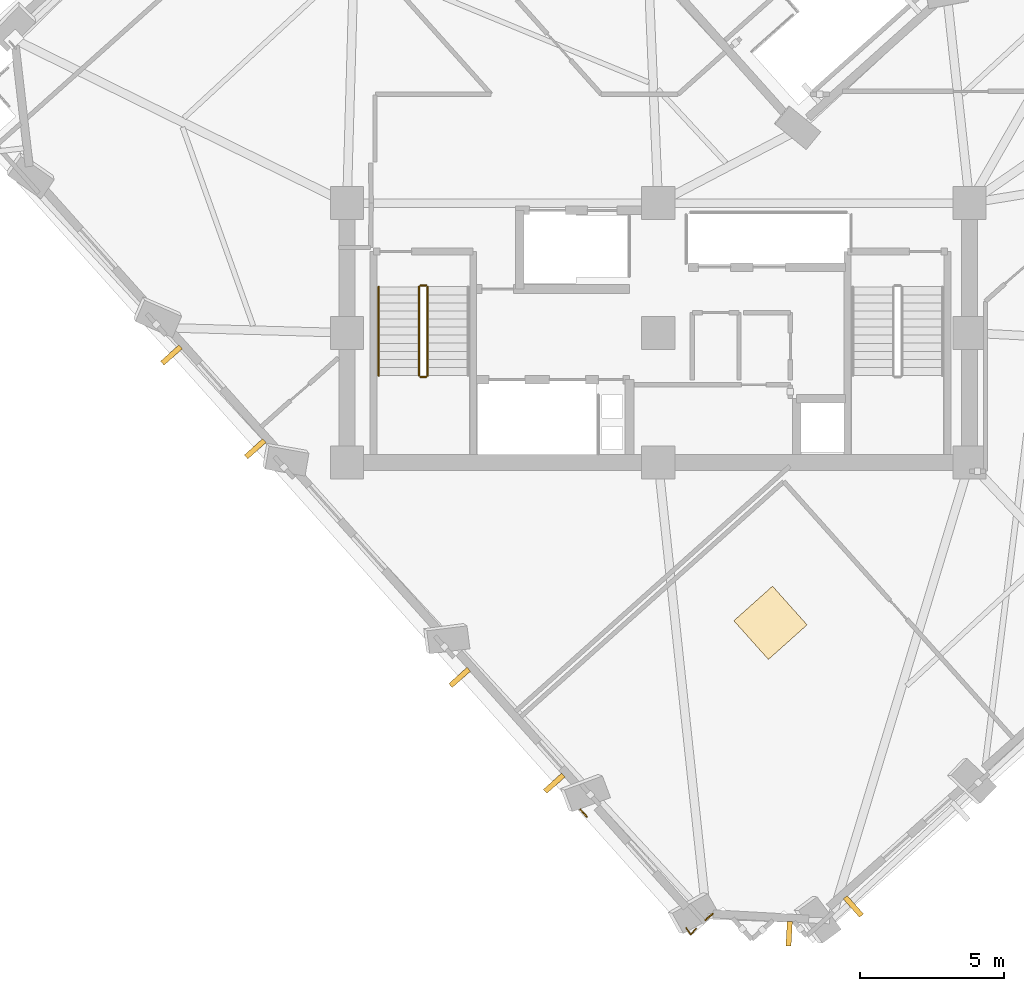
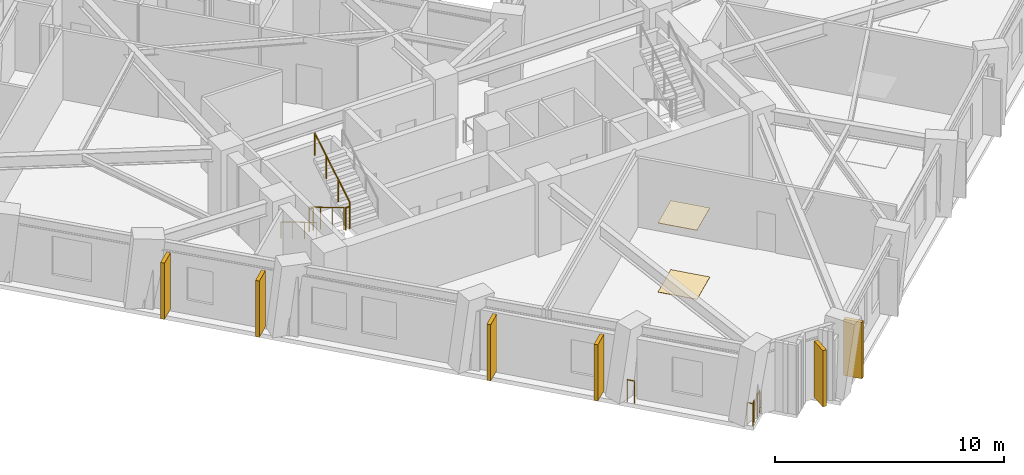
# One storey, part 10 of 14: 8 railings, 6 shading devices, 2 coverings.
"""IFC4 building model written with IfcOpenShell, lengths in metres."""

import ifcopenshell
import ifcopenshell.guid

model = None  # the IFC model being written
_history = None  # IfcOwnerHistory: only IFC2X3 demands one
_inside = {}  # id of a spatial element -> (the spatial element, [elements in it])
_under = {}  # id of a project, library or spatial element -> (it, [spatial elements below it])
_declared = {}  # id of a project -> (the project, [libraries it declares])
_typed = {}  # id of a type object -> (the type object, [elements of that type])
_made_of = {}  # id of a material, layer set ... -> (it, [elements and type objects made of it])


def new_model(schema):
    """Start an empty IFC model of exactly this schema.

    Asked for "IFC4X3", IfcOpenShell would pick the latest addendum, in which some entities
    have other attributes; the version numbers below select the first issue.
    IFC2X3 requires an IfcOwnerHistory on every rooted entity: one is made here for all.
    """
    global model, _history
    if schema == "IFC4X3":
        model = ifcopenshell.file(schema_version=(4, 3, 0, 0))
    else:
        model = ifcopenshell.file(schema=schema)
    _inside.clear()
    _under.clear()
    _declared.clear()
    _typed.clear()
    _made_of.clear()
    _history = None
    if model.schema == "IFC2X3":
        org = make("IfcOrganization", Name="unknown")
        user = make(
            "IfcPersonAndOrganization",
            ThePerson=make("IfcPerson", FamilyName="unknown"),
            TheOrganization=org,
        )
        app = make(
            "IfcApplication",
            ApplicationDeveloper=org,
            Version="unknown",
            ApplicationFullName="unknown",
            ApplicationIdentifier="unknown",
        )
        _history = make(
            "IfcOwnerHistory",
            OwningUser=user,
            OwningApplication=app,
            ChangeAction="ADDED",
            CreationDate=0,
        )
    return model


def make(cls, **values):
    """One entity of the class cls with the attributes given. An attribute that is None is left unset."""
    return model.create_entity(
        cls, **{name: value for name, value in values.items() if value is not None}
    )


def rooted(cls, **values):
    """An entity with a GlobalId (a new one), such as an element, a storey or a relation."""
    return make(cls, GlobalId=ifcopenshell.guid.new(), OwnerHistory=_history, **values)


def si_unit(unit_type, name, prefix=None):
    """IfcSIUnit, for example si_unit("LENGTHUNIT", "METRE", prefix="MILLI")."""
    return make("IfcSIUnit", UnitType=unit_type, Prefix=prefix, Name=name)


def assignment(units):
    """IfcUnitAssignment: the units of a project."""
    return None if units is None else make("IfcUnitAssignment", Units=units)


def point(xyz):
    """IfcCartesianPoint."""
    return None if xyz is None else make("IfcCartesianPoint", Coordinates=xyz)


def direction(xyz):
    """IfcDirection."""
    return None if xyz is None else make("IfcDirection", DirectionRatios=xyz)


def frame(location, z_axis=None, x_axis=None):
    """IfcAxis2Placement3D, a coordinate frame: its origin and axes. An axis left out is left unset."""
    return make(
        "IfcAxis2Placement3D",
        Location=point(location),
        Axis=direction(z_axis),
        RefDirection=direction(x_axis),
    )


def frame_2d(location, x_axis=None):
    """IfcAxis2Placement2D, a coordinate frame in the plane: its origin and x axis."""
    return make(
        "IfcAxis2Placement2D", Location=point(location), RefDirection=direction(x_axis)
    )


def origin():
    """The frame at (0, 0, 0) with its axes left unset."""
    return frame((0.0, 0.0, 0.0))


def origin_2d():
    """The frame at (0, 0) in the plane with its x axis left unset."""
    return frame_2d((0.0, 0.0))


def place(relative_to, where):
    """IfcLocalPlacement: puts the frame where relative to a parent placement (None: the world)."""
    return make(
        "IfcLocalPlacement", PlacementRelTo=relative_to, RelativePlacement=where
    )


def context(
    kind, dimensions, precision=None, world=None, true_north=None, identifier=None
):
    """IfcGeometricRepresentationContext, for example the 3D "Model" context."""
    return make(
        "IfcGeometricRepresentationContext",
        ContextIdentifier=identifier,
        ContextType=kind,
        CoordinateSpaceDimension=dimensions,
        Precision=precision,
        WorldCoordinateSystem=world,
        TrueNorth=true_north,
    )


def subcontext(parent, identifier, kind, view, scale=None):
    """IfcGeometricRepresentationSubContext, for example "Body" below "Model"."""
    return make(
        "IfcGeometricRepresentationSubContext",
        ContextIdentifier=identifier,
        ContextType=kind,
        ParentContext=parent,
        TargetScale=scale,
        TargetView=view,
    )


def project(units=None, contexts=None):
    """IfcProject with its units and contexts."""
    return rooted(
        "IfcProject",
        Name="project",
        RepresentationContexts=contexts,
        UnitsInContext=assignment(units),
    )


def spatial(cls, under=None, at=None, **own):
    """A site, building, storey or space (cls), placed at a placement, below another one or the project."""
    s = rooted(cls, ObjectPlacement=at, **own)
    if under is not None:
        _under.setdefault(under.id(), (under, []))[1].append(s)
    return s


def profile(cls, at=None, kind="AREA", **sizes):
    """A parametric profile (cls). Its sizes go by their IFC names, for example OverallWidth=200.0."""
    return make(cls, ProfileType=kind, Position=at, **sizes)


def rectangle(**sizes):
    """IfcRectangleProfileDef."""
    return profile("IfcRectangleProfileDef", **sizes)


def circle(**sizes):
    """IfcCircleProfileDef."""
    return profile("IfcCircleProfileDef", **sizes)


def extrude(swept, where, along, depth):
    """IfcExtrudedAreaSolid: the profile swept, set in the frame where, extruded along a direction by depth."""
    return make(
        "IfcExtrudedAreaSolid",
        SweptArea=swept,
        Position=where,
        ExtrudedDirection=direction(along),
        Depth=depth,
    )


def shape(context_of_items, identifier, shape_type, items):
    """IfcShapeRepresentation: the items that make up one representation, for example the "Body"."""
    return make(
        "IfcShapeRepresentation",
        ContextOfItems=context_of_items,
        RepresentationIdentifier=identifier,
        RepresentationType=shape_type,
        Items=items,
    )


def material(Name=None, Category=None):
    """IfcMaterial."""
    return make("IfcMaterial", Name=Name, Category=Category)


def layer(
    of_material, thickness, ventilated=None, Name=None, Category=None, Priority=None
):
    """IfcMaterialLayer: one layer of a wall or slab, of a material (None: an air gap)."""
    return make(
        "IfcMaterialLayer",
        Material=of_material,
        LayerThickness=thickness,
        IsVentilated=ventilated,
        Name=Name,
        Category=Category,
        Priority=Priority,
    )


def layer_set(layers, Name=None):
    """IfcMaterialLayerSet."""
    return make("IfcMaterialLayerSet", MaterialLayers=layers, LayerSetName=Name)


def made_of(thing, what):
    """Note that an element or type object is made of a material, layer set ...; save() writes the relation."""
    if what is not None:
        _made_of.setdefault(what.id(), (what, []))[1].append(thing)
    return thing


def type_object(cls, material=None, **own):
    """A type object (cls), such as IfcWallType, which elements share."""
    return made_of(rooted(cls, **own), material)


def element(
    cls,
    number,
    at=None,
    inside=None,
    cuts=None,
    type_object=None,
    material=None,
    context=None,
    identifier="Body",
    shape_type=None,
    held_by="IfcProductDefinitionShape",
    body=None,
    shapes=None,
    **own,
):
    """One element of the class cls, such as IfcWall. Its Tag is "e" and its number.

    at: its placement. inside: the storey or other place that contains it. cuts: it is an
    opening in that element (IfcRelVoidsElement). A single representation is given by context,
    identifier, shape_type and body (its items); several are given by shapes. held_by: the class
    of the entity that holds the representations. save() writes the other relations.
    """
    e = rooted(cls, Tag="e%d" % number, ObjectPlacement=at, **own)
    if body is not None:
        shapes = [shape(context, identifier, shape_type, body)]
    if shapes is not None:
        e.Representation = make(held_by, Representations=shapes)
    if inside is not None:
        _inside.setdefault(inside.id(), (inside, []))[1].append(e)
    if cuts is not None:
        rooted(
            "IfcRelVoidsElement", RelatingBuildingElement=cuts, RelatedOpeningElement=e
        )
    if type_object is not None:
        _typed.setdefault(type_object.id(), (type_object, []))[1].append(e)
    return made_of(e, material)


def aggregate(whole, parts):
    """IfcRelAggregates: a whole, such as a stair, and the parts it consists of."""
    return rooted("IfcRelAggregates", RelatingObject=whole, RelatedObjects=parts)


def save(model, path):
    """Write the relations noted so far, then the file.

    IfcRelAggregates (storeys below a building ...), IfcRelContainedInSpatialStructure (elements
    in a storey), IfcRelDefinesByType, IfcRelAssociatesMaterial and IfcRelDeclares: one each for
    every whole, place, type object, material and project.
    """
    for whole, parts in _under.values():
        aggregate(whole, parts)
    for where, things in _inside.values():
        rooted(
            "IfcRelContainedInSpatialStructure",
            RelatedElements=things,
            RelatingStructure=where,
        )
    for kind, things in _typed.values():
        rooted("IfcRelDefinesByType", RelatedObjects=things, RelatingType=kind)
    for what, things in _made_of.values():
        rooted("IfcRelAssociatesMaterial", RelatedObjects=things, RelatingMaterial=what)
    for by, libraries in _declared.values():
        rooted("IfcRelDeclares", RelatingContext=by, RelatedDefinitions=libraries)
    model.write(path)


model = new_model("IFC4")

# Units and contexts
model_context = context("Model", 3, precision=1e-05, world=origin(), true_north=direction((0.0, 1.0)))
body_context = subcontext(model_context, "Body", "Model", "MODEL_VIEW")
ifc_project = project(units=[si_unit("LENGTHUNIT", "METRE"), si_unit("AREAUNIT", "SQUARE_METRE"), si_unit("VOLUMEUNIT", "CUBIC_METRE"), si_unit("PLANEANGLEUNIT", "RADIAN"), si_unit("MASSUNIT", "GRAM", prefix="KILO")], contexts=[model_context])

# Site, building, storey
site_placement = place(None, origin())
site = spatial("IfcSite", under=ifc_project, at=site_placement, CompositionType="ELEMENT")
building_placement = place(site_placement, origin())
building = spatial("IfcBuilding", under=site, at=building_placement, Name="Gaonmaruhae Medical Tower", CompositionType="ELEMENT")
storey_placement = place(building_placement, frame((0.0, 0.0, 201.800048828125)))
storey = spatial("IfcBuildingStorey", under=building, at=storey_placement, Name="L48", CompositionType="ELEMENT", Elevation=201.800048828125)

# Coverings
ifc_material_1 = material(Name="Acoustic mineral ceiling tile", Category="finish")
ifc_layer_1 = layer(ifc_material_1, 0.02490234375)
ifc_layer_set_1 = layer_set([ifc_layer_1], Name="Acoustic mineral ceiling tile")
covering_type_1 = type_object("IfcCoveringType", Name="CLG-01 Antimicrobial Acoustic Mineral Ceiling", PredefinedType="CEILING", material=ifc_layer_set_1)
covering_1_placement = place(storey_placement, frame((28.69091796875, 2.2421875, 3.675048828125), z_axis=(0.0, 0.0, 1.0), x_axis=(0.745475999683, 0.666532470249, 0.0)))
element("IfcCovering", 1, at=covering_1_placement, inside=storey, type_object=covering_type_1, Name="L48 Clinical Room Acoustic Ceiling 2", PredefinedType="CEILING", context=body_context, shape_type="SweptSolid", body=[
    extrude(rectangle(XDim=1.800048828125, YDim=1.800048828125, at=origin_2d()), origin(), (0.0, 0.0, 1.0), 0.02490234375),
])
ifc_material_2 = material(Name="Seamless clinical vinyl flooring", Category="finish")
ifc_layer_2 = layer(ifc_material_2, 0.014892578125)
ifc_layer_set_2 = layer_set([ifc_layer_2], Name="Seamless clinical vinyl flooring")
covering_type_2 = type_object("IfcCoveringType", Name="FLR-01 Seamless Clinical Antistatic Vinyl Flooring", PredefinedType="FLOORING", material=ifc_layer_set_2)
covering_2_placement = place(storey_placement, frame((28.69091796875, 2.2421875, 0.0), z_axis=(0.0, 0.0, 1.0), x_axis=(0.745475999683, 0.666532470249, 0.0)))
element("IfcCovering", 2, at=covering_2_placement, inside=storey, type_object=covering_type_2, Name="L48 Clinical Room Vinyl Flooring 2", PredefinedType="FLOORING", context=body_context, shape_type="SweptSolid", body=[
    extrude(rectangle(XDim=1.800048828125, YDim=1.800048828125, at=origin_2d()), origin(), (0.0, 0.0, 1.0), 0.014892578125),
])

# Railings
ifc_material_3 = material(Name="Stainless steel 316L and laminated safety glass", Category="steel")
ifc_layer_3 = layer(ifc_material_3, 0.080078125)
ifc_layer_set_3 = layer_set([ifc_layer_3], Name="Stainless steel 316L and laminated safety glass")
railing_type_1 = type_object("IfcRailingType", Name="GD-120 Outdoor Terrace Safety Glass & Steel Balustrade", PredefinedType="BALUSTRADE", material=ifc_layer_set_3)
railing_1_placement = place(storey_placement, frame((26.682373046875, -7.851318359375, 0.0)))
element("IfcRailing", 3, at=railing_1_placement, inside=storey, type_object=railing_type_1, Name="L48 Perimeter Slab Edge Safety Balustrade 04", PredefinedType="BALUSTRADE", context=body_context, shape_type="SweptSolid", body=[
    extrude(circle(Radius=0.02392578125, at=origin_2d()), frame((0.0, 0.0, 1.17578125), z_axis=(-0.745260863293, -0.666773009085, 0.0), x_axis=(0.666773009085, -0.745260863293, 0.0)), (0.0, 0.0, 1.0), 0.32666015625),
    extrude(circle(Radius=0.02099609375, at=origin_2d()), origin(), (0.0, 0.0, 1.0), 1.15185546875),
    extrude(circle(Radius=0.02099609375, at=origin_2d()), frame((-0.243408203125, -0.2177734375, 0.0)), (0.0, 0.0, 1.0), 1.15185546875),
])
railing_2_placement = place(storey_placement, frame((22.3203125, -4.48779296875, 0.0)))
element("IfcRailing", 4, at=railing_2_placement, inside=storey, type_object=railing_type_1, Name="L48 Perimeter Slab Edge Safety Balustrade 05", PredefinedType="BALUSTRADE", context=body_context, shape_type="SweptSolid", body=[
    extrude(circle(Radius=0.02392578125, at=origin_2d()), frame((0.0, 0.0, 1.17578125), z_axis=(-0.666458548303, 0.745542086937, 0.0), x_axis=(-0.745542086937, -0.666458548303, 0.0)), (0.0, 0.0, 1.0), 0.339599609375),
    extrude(circle(Radius=0.02099609375, at=origin_2d()), origin(), (0.0, 0.0, 1.0), 1.15185546875),
    extrude(circle(Radius=0.02099609375, at=origin_2d()), frame((-0.226318359375, 0.253173828125, 0.0)), (0.0, 0.0, 1.0), 1.15185546875),
])
railing_3_placement = place(storey_placement, frame((26.115966796875, -8.35791015625, 0.0)))
element("IfcRailing", 5, at=railing_3_placement, inside=storey, type_object=railing_type_1, Name="L48 Perimeter Corner Safety Balustrade 11", PredefinedType="BALUSTRADE", context=body_context, shape_type="SweptSolid", body=[
    extrude(circle(Radius=0.02392578125, at=origin_2d()), frame((0.0, 0.0, 1.17578125), z_axis=(-0.65880546552, -0.752313338045, 0.0), x_axis=(0.752313338045, -0.65880546552, 0.0)), (0.0, 0.0, 1.0), 0.287109375),
    extrude(circle(Radius=0.02392578125, at=origin_2d()), frame((-0.189208984375, -0.216064453125, 1.17578125), z_axis=(-0.570491404549, 0.821303571973, 0.0), x_axis=(-0.821303571973, -0.570491404549, 0.0)), (0.0, 0.0, 1.0), 0.287109375),
    extrude(circle(Radius=0.02099609375, at=origin_2d()), origin(), (0.0, 0.0, 1.0), 1.15185546875),
    extrude(circle(Radius=0.02099609375, at=origin_2d()), frame((-0.189208984375, -0.216064453125, 0.0)), (0.0, 0.0, 1.0), 1.15185546875),
    extrude(circle(Radius=0.02099609375, at=origin_2d()), frame((-0.35302734375, 0.019775390625, 0.0)), (0.0, 0.0, 1.0), 1.15185546875),
])
ifc_material_4 = material(Name="Stainless steel 304 handrail", Category="steel")
railing_type_2 = type_object("IfcRailingType", Name="HR-092 Continuous Stainless Steel Stair Handrail", PredefinedType="HANDRAIL", material=ifc_material_4)
railing_4_placement = place(storey_placement, frame((15.10009765625, 13.89990234375, 0.16650390625)))
element("IfcRailing", 6, at=railing_4_placement, inside=storey, type_object=railing_type_2, Name="L48 ST-01 stair handrail 1", PredefinedType="HANDRAIL", context=body_context, shape_type="SweptSolid", body=[
    extrude(circle(Radius=0.02392578125, at=origin_2d()), frame((0.0, 0.0, 0.8759765625), z_axis=(0.0, -0.859260807169, 0.511537745687), x_axis=(1.0, 0.0, 0.0)), (0.0, 0.0, 1.0), 3.584228515625),
    extrude(circle(Radius=0.02099609375, at=origin_2d()), origin(), (0.0, 0.0, 1.0), 0.851806640625),
    extrude(circle(Radius=0.02099609375, at=origin_2d()), frame((0.0, -1.026611328125, 0.611083984375)), (0.0, 0.0, 1.0), 0.851806640625),
    extrude(circle(Radius=0.02099609375, at=origin_2d()), frame((0.0, -2.05322265625, 1.222412109375)), (0.0, 0.0, 1.0), 0.851806640625),
    extrude(circle(Radius=0.02099609375, at=origin_2d()), frame((0.0, -3.079833984375, 1.83349609375)), (0.0, 0.0, 1.0), 0.851806640625),
])

# Shading devices
ifc_material_5 = material(Name="Pigmented coral precast concrete C45/55", Category="concrete")
shading_device_type = type_object("IfcShadingDeviceType", Name="SD-FIN1 Tower Vertical Coral Precast Shading Fin", PredefinedType="USERDEFINED", material=ifc_material_5)
for number, where, z_axis, x_axis, name in (
    (7, (31.565673828125, -7.5966796875, 0.092529296875), (0.0, 0.0, 1.0), (-0.745475999683, -0.666532470249, 0.0), "L48 Vertical Coral Precast Shading Fin S01B"),
    (8, (10.818603515625, 8.27880859375, 0.092529296875), (0.0, 0.0, 1.0), (-0.666532470249, 0.745475999683, 0.0), "L48 Vertical Coral Precast Shading Fin W02"),
    (9, (7.9111328125, 11.530517578125, 0.092529296875), (0.0, 0.0, 1.0), (-0.666532470249, 0.745475999683, 0.0), "L48 Vertical Coral Precast Shading Fin W02B"),
    (10, (21.19140625, -3.322509765625, 0.092529296875), (0.0, 0.0, 1.0), (-0.666532470249, 0.745475999683, 0.0), "L48 Vertical Coral Precast Shading Fin W04"),
    (11, (17.90966796875, 0.347900390625, 0.092529296875), (0.0, 0.0, 1.0), (-0.666532470249, 0.745475999683, 0.0), "L48 Vertical Coral Precast Shading Fin W04B"),
    (12, (29.339111328125, -8.545654296875, 0.092529296875), (0.0, 0.0, 1.0), (-0.998440764182, 0.055821504993, 0.0), "L48 Vertical Coral Precast Shading Fin W06"),
):
    element("IfcShadingDevice", number, at=place(storey_placement, frame(where, z_axis=z_axis, x_axis=x_axis)), inside=storey, type_object=shading_device_type, Name=name, ObjectType="FIN", PredefinedType="USERDEFINED", context=body_context, shape_type="SweptSolid", body=[
        extrude(rectangle(XDim=0.179931640625, YDim=0.85009765625, at=origin_2d()), origin(), (0.0, 0.0, 1.0), 3.0),
    ])

# Railings
ifc_material_6 = material(Name="Stainless steel 304 balustrade", Category="steel")
railing_type_3 = type_object("IfcRailingType", Name="SG-112 Stair Well & Ramp Void Safety Balustrade", PredefinedType="BALUSTRADE", material=ifc_material_6)
railing_5_placement = place(storey_placement, frame((16.5, 13.89990234375, 0.16650390625)))
element("IfcRailing", 13, at=railing_5_placement, inside=storey, type_object=railing_type_3, Name="L48 ST-01 stair guard 1", PredefinedType="BALUSTRADE", context=body_context, shape_type="SweptSolid", body=[
    extrude(circle(Radius=0.02392578125, at=origin_2d()), frame((0.0, 0.0, 1.17578125), z_axis=(0.0, -0.859260807169, 0.511537745687), x_axis=(1.0, 0.0, 0.0)), (0.0, 0.0, 1.0), 3.584228515625),
    extrude(circle(Radius=0.02099609375, at=origin_2d()), origin(), (0.0, 0.0, 1.0), 1.15185546875),
    extrude(circle(Radius=0.02099609375, at=origin_2d()), frame((0.0, -1.026611328125, 0.611083984375)), (0.0, 0.0, 1.0), 1.15185546875),
    extrude(circle(Radius=0.02099609375, at=origin_2d()), frame((0.0, -2.05322265625, 1.222412109375)), (0.0, 0.0, 1.0), 1.15185546875),
    extrude(circle(Radius=0.02099609375, at=origin_2d()), frame((0.0, -3.079833984375, 1.83349609375)), (0.0, 0.0, 1.0), 1.15185546875),
])
railing_6_placement = place(storey_placement, frame((16.550048828125, 10.77001953125, 2.0)))
element("IfcRailing", 14, at=railing_6_placement, inside=storey, type_object=railing_type_3, Name="L48 ST-01 stair guard 2", PredefinedType="BALUSTRADE", context=body_context, shape_type="SweptSolid", body=[
    extrude(circle(Radius=0.02392578125, at=origin_2d()), frame((0.0, 0.0, 1.17578125), z_axis=(1.0, 0.0, 0.0), x_axis=(0.0, 1.0, 0.0)), (0.0, 0.0, 1.0), 0.199951171875),
    extrude(circle(Radius=0.02099609375, at=origin_2d()), origin(), (0.0, 0.0, 1.0), 1.15185546875),
    extrude(circle(Radius=0.02099609375, at=origin_2d()), frame((0.199951171875, 0.0, 0.0)), (0.0, 0.0, 1.0), 1.15185546875),
])
railing_7_placement = place(storey_placement, frame((16.800048828125, 10.820068359375, 2.16650390625)))
element("IfcRailing", 15, at=railing_7_placement, inside=storey, type_object=railing_type_3, Name="L48 ST-01 stair guard 3", PredefinedType="BALUSTRADE", context=body_context, shape_type="SweptSolid", body=[
    extrude(circle(Radius=0.02392578125, at=origin_2d()), frame((0.0, 0.0, 1.17578125), z_axis=(0.0, 0.859260807169, 0.511537745687), x_axis=(-1.0, 0.0, 0.0)), (0.0, 0.0, 1.0), 3.584228515625),
    extrude(circle(Radius=0.02099609375, at=origin_2d()), origin(), (0.0, 0.0, 1.0), 1.15185546875),
    extrude(circle(Radius=0.02099609375, at=origin_2d()), frame((0.0, 1.026611328125, 0.611083984375)), (0.0, 0.0, 1.0), 1.15185546875),
    extrude(circle(Radius=0.02099609375, at=origin_2d()), frame((0.0, 2.05322265625, 1.222412109375)), (0.0, 0.0, 1.0), 1.15185546875),
    extrude(circle(Radius=0.02099609375, at=origin_2d()), frame((0.0, 3.079833984375, 1.83349609375)), (0.0, 0.0, 1.0), 1.15185546875),
])
railing_8_placement = place(storey_placement, frame((16.550048828125, 13.949951171875, 0.0)))
element("IfcRailing", 16, at=railing_8_placement, inside=storey, type_object=railing_type_3, Name="L48 ST-01 stair guard 4", PredefinedType="BALUSTRADE", context=body_context, shape_type="SweptSolid", body=[
    extrude(circle(Radius=0.02392578125, at=origin_2d()), frame((0.0, 0.0, 1.17578125), z_axis=(1.0, 0.0, 0.0), x_axis=(0.0, 1.0, 0.0)), (0.0, 0.0, 1.0), 0.199951171875),
    extrude(circle(Radius=0.02099609375, at=origin_2d()), origin(), (0.0, 0.0, 1.0), 1.15185546875),
    extrude(circle(Radius=0.02099609375, at=origin_2d()), frame((0.199951171875, 0.0, 0.0)), (0.0, 0.0, 1.0), 1.15185546875),
])

save(model, "model.ifc")
